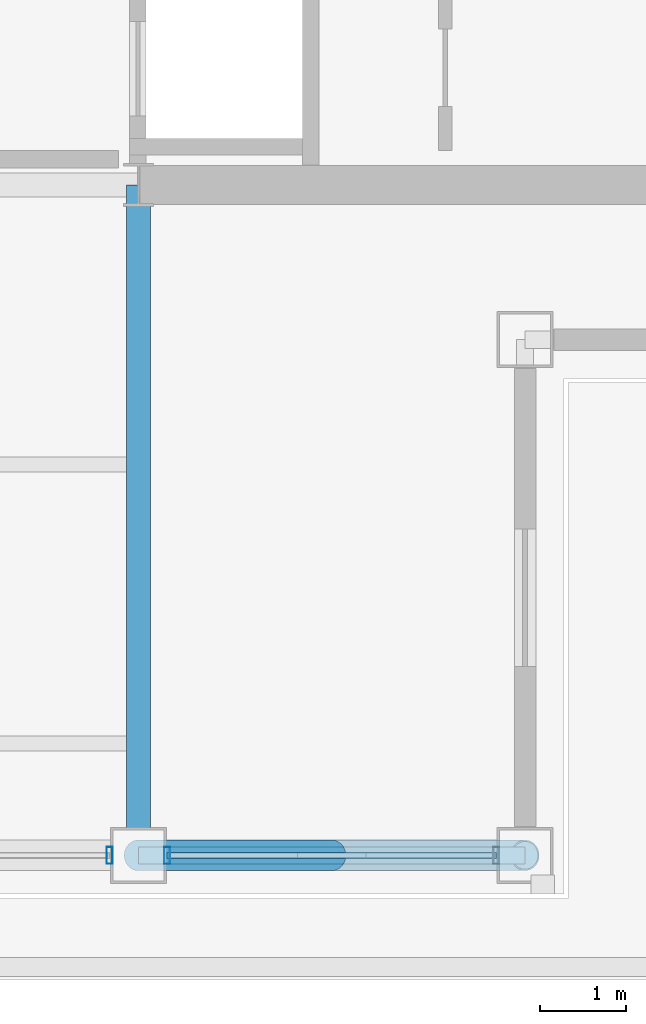
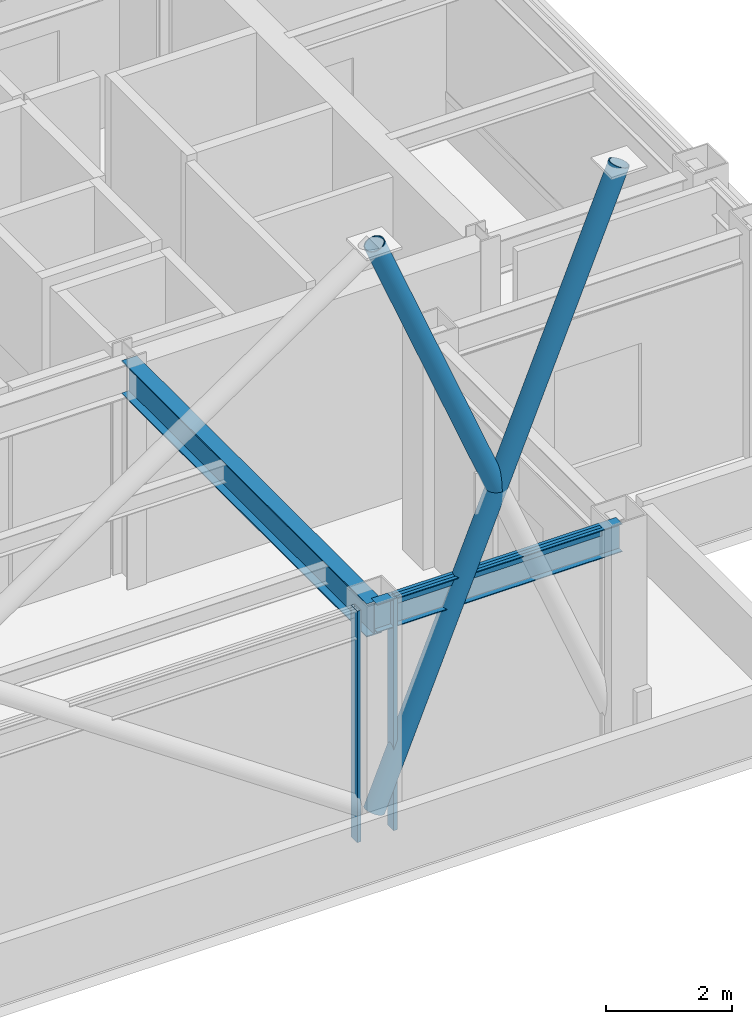
# One storey, part 4 of 19: 5 members, 2 beams, 2 elements without a shape of their own.
"""IFC4 building model written with IfcOpenShell, lengths in metres."""

from ifc_helpers import new_model, si_unit, direction, frame, origin, origin_2d, place, context, subcontext, project, spatial, hollow_rectangle, hollow_circle, i_section, extrude, material, layer, layer_set, material_profile, profile_set, type_object, element, aggregate, save


model = new_model("IFC4")

# Units and contexts
model_context = context("Model", 3, precision=1e-05, world=origin(), true_north=direction((0.0, 1.0)))
body_context = subcontext(model_context, "Body", "Model", "MODEL_VIEW")
ifc_project = project(units=[si_unit("LENGTHUNIT", "METRE"), si_unit("AREAUNIT", "SQUARE_METRE"), si_unit("VOLUMEUNIT", "CUBIC_METRE"), si_unit("PLANEANGLEUNIT", "RADIAN"), si_unit("MASSUNIT", "GRAM", prefix="KILO")], contexts=[model_context])

# Site, building, storey
site_placement = place(None, origin())
site = spatial("IfcSite", under=ifc_project, at=site_placement, CompositionType="ELEMENT")
building_placement = place(site_placement, origin())
building = spatial("IfcBuilding", under=site, at=building_placement, Name="Brelmoor Portico Tower", CompositionType="ELEMENT")
storey_placement = place(building_placement, frame((0.0, 0.0, 213.89990234375)))
storey = spatial("IfcBuildingStorey", under=building, at=storey_placement, Name="L56", CompositionType="ELEMENT", Elevation=213.89990234375)

# Beams
ifc_material_1 = material(Name="Steel Q355B", Category="steel")
ifc_material_profile_1 = material_profile(ifc_material_1, i_section(OverallWidth=0.280029296875, OverallDepth=0.64990234375, WebThickness=0.012939453125, FlangeThickness=0.02197265625, at=origin_2d()), Name="HN 650x280x13x22")
ifc_profile_set_1 = profile_set([ifc_material_profile_1], Name="Steel Q355B")
beam_type_1 = type_object("IfcBeamType", Name="BM-PG-650", PredefinedType="BEAM", material=ifc_profile_set_1)
beam_1_placement = place(storey_placement, frame((8.050048828125, -17.550048828125, 3.97509765625), z_axis=(0.0, 1.0, 0.0), x_axis=(-1.0, 0.0, 0.0)))
element("IfcBeam", 1, at=beam_1_placement, inside=storey, type_object=beam_type_1, Name="L56 Primary Floor Girder PG-06", PredefinedType="BEAM", context=body_context, shape_type="SweptSolid", body=[
    extrude(i_section(OverallWidth=0.280029296875, OverallDepth=0.64990234375, WebThickness=0.012939453125, FlangeThickness=0.02197265625, at=origin_2d()), origin(), (0.0, 0.0, 1.0), 7.800048828125),
])
ifc_material_profile_2 = material_profile(ifc_material_1, i_section(OverallWidth=0.199951171875, OverallDepth=0.550048828125, WebThickness=0.010009765625, FlangeThickness=0.01611328125, at=origin_2d()), Name="HN 550x200x10x16")
ifc_profile_set_2 = profile_set([ifc_material_profile_2], Name="Steel Q355B")
beam_type_2 = type_object("IfcBeamType", Name="BM-SP-550", PredefinedType="SPANDREL", material=ifc_profile_set_2)
beam_2_placement = place(storey_placement, frame((8.050048828125, -17.550048828125, 4.025146484375), z_axis=(1.0, 0.0, 0.0), x_axis=(0.0, 1.0, 0.0)))
element("IfcBeam", 2, at=beam_2_placement, inside=storey, type_object=beam_type_2, Name="L56 Perimeter Spandrel Beam SP-03", PredefinedType="SPANDREL", context=body_context, shape_type="SweptSolid", body=[
    extrude(i_section(OverallWidth=0.199951171875, OverallDepth=0.550048828125, WebThickness=0.010009765625, FlangeThickness=0.01611328125, at=origin_2d()), origin(), (0.0, 0.0, 1.0), 4.5),
])

# Members
ifc_material_profile_3 = material_profile(ifc_material_1, hollow_circle(Radius=0.177978515625, WallThickness=0.01611328125, at=origin_2d()), Name="CHS 356x16")
ifc_profile_set_3 = profile_set([ifc_material_profile_3], Name="Steel Q355B")
member_type_1 = type_object("IfcMemberType", Name="MB-BELT-DIAG2", PredefinedType="BRACE", material=ifc_profile_set_3)
member_1_placement = place(storey_placement, frame((8.050048828125, -17.550048828125, 0.25), z_axis=(0.378632845721, 0.0, 0.925546956206), x_axis=(0.0, 1.0, 0.0)))
element("IfcMember", 3, at=member_1_placement, inside=storey, type_object=member_type_1, Name="L56 Continuous Mega-X Brace 129A", PredefinedType="BRACE", context=body_context, shape_type="SweptSolid", body=[
    extrude(hollow_circle(Radius=0.177978515625, WallThickness=0.01611328125, at=origin_2d()), origin(), (0.0, 0.0, 1.0), 11.884765625),
])
member_2_placement = place(storey_placement, frame((10.300048828125, -17.550048828125, 5.75), z_axis=(-0.378632845721, 0.0, 0.925546956206), x_axis=(0.0, -1.0, 0.0)))
element("IfcMember", 4, at=member_2_placement, inside=storey, type_object=member_type_1, Name="L56 Split Mega-X Brace 129B2", PredefinedType="BRACE", context=body_context, shape_type="SweptSolid", body=[
    extrude(hollow_circle(Radius=0.177978515625, WallThickness=0.01611328125, at=origin_2d()), origin(), (0.0, 0.0, 1.0), 5.9423828125),
])

# Curtain wall, member
ifc_material_2 = material(Name="Anodised Aluminium Alloy 6063-T6", Category="aluminium")
ifc_layer = layer(ifc_material_2, 0.179931640625)
ifc_layer_set = layer_set([ifc_layer], Name="Anodised Aluminium Alloy 6063-T6")
curtain_wall_type = type_object("IfcCurtainWallType", Name="CW-SKYLOBBY-XB", PredefinedType="NOTDEFINED", material=ifc_layer_set)
curtain_wall_1_placement = place(storey_placement, origin())
curtain_wall_1 = element("IfcCurtainWall", 5, at=curtain_wall_1_placement, inside=storey, type_object=curtain_wall_type, Name="L56 Curtain Wall CW-L56-01-2", PredefinedType="NOTDEFINED")
ifc_material_profile_4 = material_profile(ifc_material_2, hollow_rectangle(XDim=0.070068359375, YDim=0.199951171875, WallThickness=0.00439453125, at=origin_2d()), Name="ALU MULLION 70x200")
ifc_profile_set_4 = profile_set([ifc_material_profile_4], Name="Anodised Aluminium Alloy 6063-T6")
member_type_2 = type_object("IfcMemberType", Name="MB-CW-MULL-200", PredefinedType="MULLION", material=ifc_profile_set_4)
member_3_placement = place(storey_placement, frame((7.715087890625, -17.550048828125, -0.199951171875), z_axis=(0.0, 0.0, 1.0), x_axis=(1.0, 0.0, 0.0)))
member_3 = element("IfcMember", 6, at=member_3_placement, type_object=member_type_2, Name="CW-L56-01-2 Mullion 01", PredefinedType="MULLION", context=body_context, shape_type="SweptSolid", body=[
    extrude(hollow_rectangle(XDim=0.070068359375, YDim=0.199951171875, WallThickness=0.00439453125, at=origin_2d()), origin(), (0.0, 0.0, 1.0), 4.5),
])
aggregate(curtain_wall_1, [member_3])

# Curtain wall, members
curtain_wall_2_placement = place(storey_placement, origin())
curtain_wall_2 = element("IfcCurtainWall", 7, at=curtain_wall_2_placement, inside=storey, type_object=curtain_wall_type, Name="L56 Curtain Wall CW-L56-01-3", PredefinedType="NOTDEFINED")
member_4_placement = place(storey_placement, frame((8.385009765625, -17.550048828125, -0.199951171875), z_axis=(0.0, 0.0, 1.0), x_axis=(1.0, 0.0, 0.0)))
member_4 = element("IfcMember", 8, at=member_4_placement, type_object=member_type_2, Name="CW-L56-01-3 Mullion 00", PredefinedType="MULLION", context=body_context, shape_type="SweptSolid", body=[
    extrude(hollow_rectangle(XDim=0.070068359375, YDim=0.199951171875, WallThickness=0.00439453125, at=origin_2d()), origin(), (0.0, 0.0, 1.0), 4.5),
])
ifc_material_profile_5 = material_profile(ifc_material_2, hollow_rectangle(XDim=0.070068359375, YDim=0.159912109375, WallThickness=0.00390625, at=origin_2d()), Name="ALU TRANSOM 70x160")
ifc_profile_set_5 = profile_set([ifc_material_profile_5], Name="Anodised Aluminium Alloy 6063-T6")
member_type_3 = type_object("IfcMemberType", Name="MB-CW-TRAN-160", PredefinedType="USERDEFINED", material=ifc_profile_set_5)
member_5_placement = place(storey_placement, frame((8.385009765625, -17.550048828125, 4.22021484375), z_axis=(1.0, 0.0, 0.0), x_axis=(0.0, 1.0, 0.0)))
member_5 = element("IfcMember", 9, at=member_5_placement, type_object=member_type_3, Name="CW-L56-01-3 Transom 1-00", ObjectType="TRANSOM", PredefinedType="USERDEFINED", context=body_context, shape_type="SweptSolid", body=[
    extrude(hollow_rectangle(XDim=0.070068359375, YDim=0.159912109375, WallThickness=0.00390625, at=origin_2d()), origin(), (0.0, 0.0, 1.0), 3.830078125),
])
aggregate(curtain_wall_2, [member_4, member_5])

save(model, "model.ifc")
